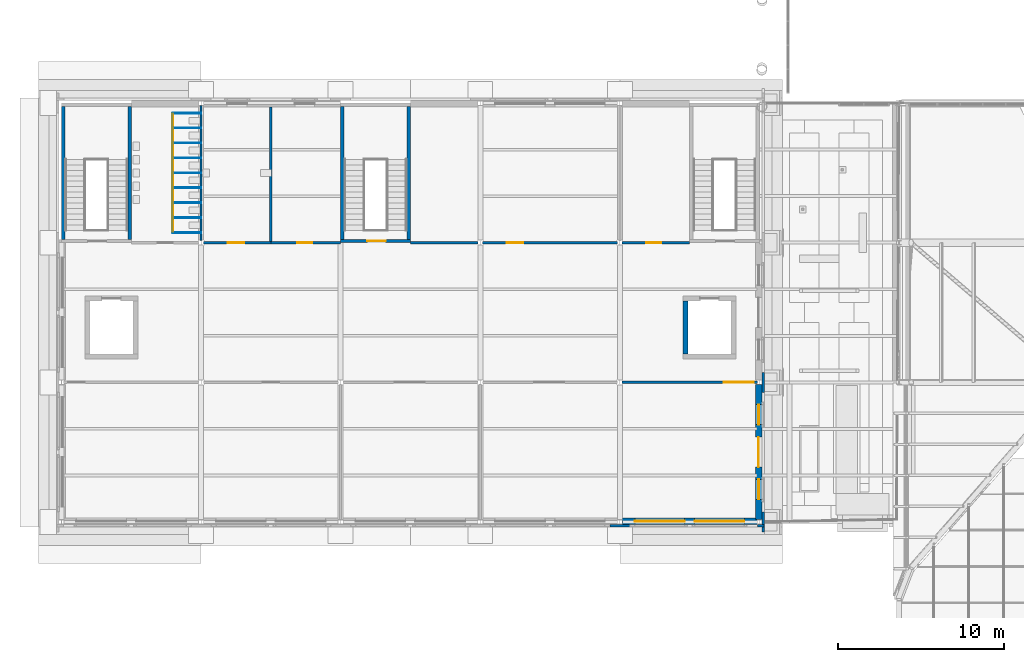
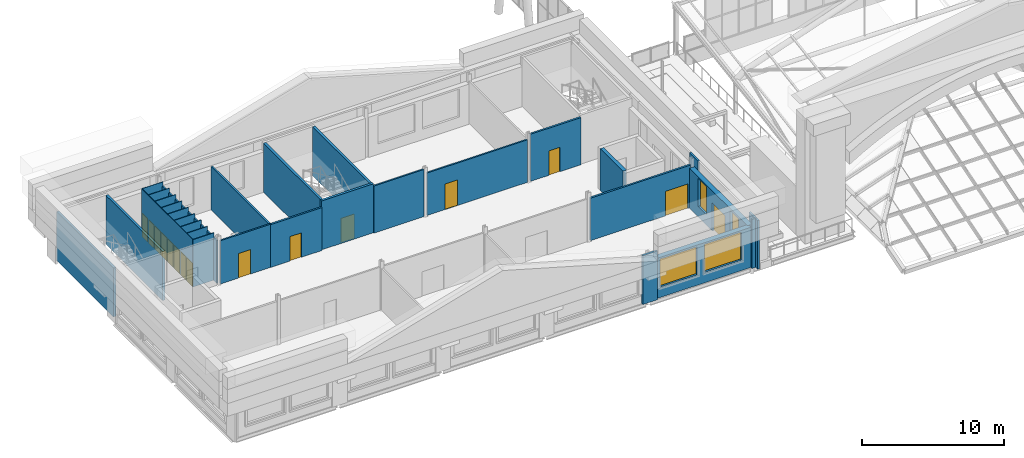
# One storey, part 41 of 76: 30 walls, 15 doors, 4 windows, 19 openings.
"""IFC4 building model written with IfcOpenShell, lengths in metres."""

from ifc_helpers import new_model, si_unit, direction, frame, frame_2d, origin, place, context, subcontext, project, spatial, rectangle, extrude, material, layer, layer_set, type_object, element, fill, save


model = new_model("IFC4")

# Units and contexts
model_context = context("Model", 3, precision=1e-05, world=origin(), true_north=direction((0.0, 1.0)))
body_context = subcontext(model_context, "Body", "Model", "MODEL_VIEW")
ifc_project = project(units=[si_unit("LENGTHUNIT", "METRE"), si_unit("AREAUNIT", "SQUARE_METRE"), si_unit("VOLUMEUNIT", "CUBIC_METRE"), si_unit("PLANEANGLEUNIT", "RADIAN"), si_unit("MASSUNIT", "GRAM", prefix="KILO")], contexts=[model_context])

# Site, building, storey
site_placement = place(None, origin())
site = spatial("IfcSite", under=ifc_project, at=site_placement, CompositionType="ELEMENT")
building_placement = place(site_placement, origin())
building = spatial("IfcBuilding", under=site, at=building_placement, Name="Sava Quay Ferry Terminal", CompositionType="ELEMENT")
storey_placement = place(building_placement, frame((0.0, 0.0, 10.800048828125)))
storey = spatial("IfcBuildingStorey", under=building, at=storey_placement, Name="L02", CompositionType="ELEMENT", Elevation=10.800048828125)

# Wall, openings, doors
ifc_material_1 = material(Name="High-pressure laminate panel")
ifc_layer_1 = layer(ifc_material_1, 0.050048828125)
ifc_layer_set_1 = layer_set([ifc_layer_1], Name="High-pressure laminate panel")
wall_type_1 = type_object("IfcWallType", Name="Cubicle partition 50", PredefinedType="PARTITIONING", material=ifc_layer_set_1)
wall_1_placement = place(storey_placement, frame((6.699951171875, 42.60009765625, 0.0), z_axis=(0.0, 0.0, 1.0), x_axis=(0.0, 1.0, 0.0)))
wall_1 = element("IfcWall", 1, at=wall_1_placement, inside=storey, type_object=wall_type_1, Name="Cubicle partition panel", PredefinedType="PARTITIONING", context=body_context, shape_type="SweptSolid", body=[
    extrude(rectangle(XDim=7.199951171875, YDim=0.050048828125, at=frame_2d((3.60009765625, 0.0))), origin(), (0.0, 0.0, 1.0), 4.070068359375),
])
opening_1_placement = place(wall_1_placement, frame((0.050048828125, 0.0, 0.0)))
opening_1 = element("IfcOpeningElement", 2, at=opening_1_placement, cuts=wall_1, Name="Opening CD065", PredefinedType="OPENING", context=body_context, shape_type="SweptSolid", body=[
    extrude(rectangle(XDim=0.800048828125, YDim=2.0, at=frame_2d((0.39990234375, 1.0))), frame((0.0, 0.02490234375, 0.0), z_axis=(0.0, -1.0, 0.0), x_axis=(1.0, 0.0, 0.0)), (0.0, 0.0, 1.0), 0.050048828125),
])
opening_2_placement = place(wall_1_placement, frame((0.949951171875, 0.0, 0.0)))
opening_2 = element("IfcOpeningElement", 3, at=opening_2_placement, cuts=wall_1, Name="Opening CD066", PredefinedType="OPENING", context=body_context, shape_type="SweptSolid", body=[
    extrude(rectangle(XDim=0.800048828125, YDim=2.0, at=frame_2d((0.39990234375, 1.0))), frame((0.0, 0.02490234375, 0.0), z_axis=(0.0, -1.0, 0.0), x_axis=(1.0, 0.0, 0.0)), (0.0, 0.0, 1.0), 0.050048828125),
])
opening_3_placement = place(wall_1_placement, frame((1.85009765625, 0.0, 0.0)))
opening_3 = element("IfcOpeningElement", 4, at=opening_3_placement, cuts=wall_1, Name="Opening CD067", PredefinedType="OPENING", context=body_context, shape_type="SweptSolid", body=[
    extrude(rectangle(XDim=0.800048828125, YDim=2.0, at=frame_2d((0.39990234375, 1.0))), frame((0.0, 0.02490234375, 0.0), z_axis=(0.0, -1.0, 0.0), x_axis=(1.0, 0.0, 0.0)), (0.0, 0.0, 1.0), 0.050048828125),
])
opening_4_placement = place(wall_1_placement, frame((2.75, 0.0, 0.0)))
opening_4 = element("IfcOpeningElement", 5, at=opening_4_placement, cuts=wall_1, Name="Opening CD068", PredefinedType="OPENING", context=body_context, shape_type="SweptSolid", body=[
    extrude(rectangle(XDim=0.800048828125, YDim=2.0, at=frame_2d((0.39990234375, 1.0))), frame((0.0, 0.02490234375, 0.0), z_axis=(0.0, -1.0, 0.0), x_axis=(1.0, 0.0, 0.0)), (0.0, 0.0, 1.0), 0.050048828125),
])
opening_5_placement = place(wall_1_placement, frame((3.64990234375, 0.0, 0.0)))
opening_5 = element("IfcOpeningElement", 6, at=opening_5_placement, cuts=wall_1, Name="Opening CD069", PredefinedType="OPENING", context=body_context, shape_type="SweptSolid", body=[
    extrude(rectangle(XDim=0.800048828125, YDim=2.0, at=frame_2d((0.39990234375, 1.0))), frame((0.0, 0.02490234375, 0.0), z_axis=(0.0, -1.0, 0.0), x_axis=(1.0, 0.0, 0.0)), (0.0, 0.0, 1.0), 0.050048828125),
])
opening_6_placement = place(wall_1_placement, frame((4.550048828125, 0.0, 0.0)))
opening_6 = element("IfcOpeningElement", 7, at=opening_6_placement, cuts=wall_1, Name="Opening CD070", PredefinedType="OPENING", context=body_context, shape_type="SweptSolid", body=[
    extrude(rectangle(XDim=0.800048828125, YDim=2.0, at=frame_2d((0.39990234375, 1.0))), frame((0.0, 0.02490234375, 0.0), z_axis=(0.0, -1.0, 0.0), x_axis=(1.0, 0.0, 0.0)), (0.0, 0.0, 1.0), 0.050048828125),
])
opening_7_placement = place(wall_1_placement, frame((5.449951171875, 0.0, 0.0)))
opening_7 = element("IfcOpeningElement", 8, at=opening_7_placement, cuts=wall_1, Name="Opening CD071", PredefinedType="OPENING", context=body_context, shape_type="SweptSolid", body=[
    extrude(rectangle(XDim=0.800048828125, YDim=2.0, at=frame_2d((0.39990234375, 1.0))), frame((0.0, 0.02490234375, 0.0), z_axis=(0.0, -1.0, 0.0), x_axis=(1.0, 0.0, 0.0)), (0.0, 0.0, 1.0), 0.050048828125),
])
opening_8_placement = place(wall_1_placement, frame((6.35009765625, 0.0, 0.0)))
opening_8 = element("IfcOpeningElement", 9, at=opening_8_placement, cuts=wall_1, Name="Opening CD072", PredefinedType="OPENING", context=body_context, shape_type="SweptSolid", body=[
    extrude(rectangle(XDim=0.800048828125, YDim=2.0, at=frame_2d((0.39990234375, 1.0))), frame((0.0, 0.02490234375, 0.0), z_axis=(0.0, -1.0, 0.0), x_axis=(1.0, 0.0, 0.0)), (0.0, 0.0, 1.0), 0.050048828125),
])
ifc_material_2 = material(Name="Laminate door set")
door_type_1 = type_object("IfcDoorType", Name="Cubicle door 800 x 2000", OperationType="NOTDEFINED", PredefinedType="DOOR", material=ifc_material_2)
door_1_placement = place(opening_1_placement, origin())
door_1 = element("IfcDoor", 10, at=door_1_placement, inside=storey, type_object=door_type_1, Name="Cubicle door", OperationType="SINGLE_SWING_RIGHT", OverallHeight=2.0, OverallWidth=0.800048828125, PredefinedType="DOOR", context=body_context, shape_type="SweptSolid", body=[
    extrude(rectangle(XDim=0.800048828125, YDim=2.0, at=frame_2d((0.39990234375, 1.0))), frame((0.0, 0.02490234375, 0.0), z_axis=(0.0, -1.0, 0.0), x_axis=(1.0, 0.0, 0.0)), (0.0, 0.0, 1.0), 0.049560546875),
])
fill(opening_1, door_1)
door_2_placement = place(opening_2_placement, origin())
door_2 = element("IfcDoor", 11, at=door_2_placement, inside=storey, type_object=door_type_1, Name="Cubicle door", OperationType="SINGLE_SWING_LEFT", OverallHeight=2.0, OverallWidth=0.800048828125, PredefinedType="DOOR", context=body_context, shape_type="SweptSolid", body=[
    extrude(rectangle(XDim=0.800048828125, YDim=2.0, at=frame_2d((0.39990234375, 1.0))), frame((0.0, 0.02490234375, 0.0), z_axis=(0.0, -1.0, 0.0), x_axis=(1.0, 0.0, 0.0)), (0.0, 0.0, 1.0), 0.049560546875),
])
fill(opening_2, door_2)
door_3_placement = place(opening_3_placement, origin())
door_3 = element("IfcDoor", 12, at=door_3_placement, inside=storey, type_object=door_type_1, Name="Cubicle door", OperationType="SINGLE_SWING_RIGHT", OverallHeight=2.0, OverallWidth=0.800048828125, PredefinedType="DOOR", context=body_context, shape_type="SweptSolid", body=[
    extrude(rectangle(XDim=0.800048828125, YDim=2.0, at=frame_2d((0.39990234375, 1.0))), frame((0.0, 0.02490234375, 0.0), z_axis=(0.0, -1.0, 0.0), x_axis=(1.0, 0.0, 0.0)), (0.0, 0.0, 1.0), 0.049560546875),
])
fill(opening_3, door_3)
door_4_placement = place(opening_4_placement, origin())
door_4 = element("IfcDoor", 13, at=door_4_placement, inside=storey, type_object=door_type_1, Name="Cubicle door", OperationType="SINGLE_SWING_LEFT", OverallHeight=2.0, OverallWidth=0.800048828125, PredefinedType="DOOR", context=body_context, shape_type="SweptSolid", body=[
    extrude(rectangle(XDim=0.800048828125, YDim=2.0, at=frame_2d((0.39990234375, 1.0))), frame((0.0, 0.02490234375, 0.0), z_axis=(0.0, -1.0, 0.0), x_axis=(1.0, 0.0, 0.0)), (0.0, 0.0, 1.0), 0.049560546875),
])
fill(opening_4, door_4)
door_5_placement = place(opening_5_placement, origin())
door_5 = element("IfcDoor", 14, at=door_5_placement, inside=storey, type_object=door_type_1, Name="Cubicle door", OperationType="SINGLE_SWING_RIGHT", OverallHeight=2.0, OverallWidth=0.800048828125, PredefinedType="DOOR", context=body_context, shape_type="SweptSolid", body=[
    extrude(rectangle(XDim=0.800048828125, YDim=2.0, at=frame_2d((0.39990234375, 1.0))), frame((0.0, 0.02490234375, 0.0), z_axis=(0.0, -1.0, 0.0), x_axis=(1.0, 0.0, 0.0)), (0.0, 0.0, 1.0), 0.049560546875),
])
fill(opening_5, door_5)
door_6_placement = place(opening_6_placement, origin())
door_6 = element("IfcDoor", 15, at=door_6_placement, inside=storey, type_object=door_type_1, Name="Cubicle door", OperationType="SINGLE_SWING_LEFT", OverallHeight=2.0, OverallWidth=0.800048828125, PredefinedType="DOOR", context=body_context, shape_type="SweptSolid", body=[
    extrude(rectangle(XDim=0.800048828125, YDim=2.0, at=frame_2d((0.39990234375, 1.0))), frame((0.0, 0.02490234375, 0.0), z_axis=(0.0, -1.0, 0.0), x_axis=(1.0, 0.0, 0.0)), (0.0, 0.0, 1.0), 0.049560546875),
])
fill(opening_6, door_6)
door_7_placement = place(opening_7_placement, origin())
door_7 = element("IfcDoor", 16, at=door_7_placement, inside=storey, type_object=door_type_1, Name="Cubicle door", OperationType="SINGLE_SWING_RIGHT", OverallHeight=2.0, OverallWidth=0.800048828125, PredefinedType="DOOR", context=body_context, shape_type="SweptSolid", body=[
    extrude(rectangle(XDim=0.800048828125, YDim=2.0, at=frame_2d((0.39990234375, 1.0))), frame((0.0, 0.02490234375, 0.0), z_axis=(0.0, -1.0, 0.0), x_axis=(1.0, 0.0, 0.0)), (0.0, 0.0, 1.0), 0.049560546875),
])
fill(opening_7, door_7)
door_8_placement = place(opening_8_placement, origin())
door_8 = element("IfcDoor", 17, at=door_8_placement, inside=storey, type_object=door_type_1, Name="Cubicle door", OperationType="SINGLE_SWING_LEFT", OverallHeight=2.0, OverallWidth=0.800048828125, PredefinedType="DOOR", context=body_context, shape_type="SweptSolid", body=[
    extrude(rectangle(XDim=0.800048828125, YDim=2.0, at=frame_2d((0.39990234375, 1.0))), frame((0.0, 0.02490234375, 0.0), z_axis=(0.0, -1.0, 0.0), x_axis=(1.0, 0.0, 0.0)), (0.0, 0.0, 1.0), 0.049560546875),
])
fill(opening_8, door_8)

# Walls
for number, where, z_axis, x_axis, name in (
    (18, (8.39990234375, 42.60009765625, 0.0), (0.0, 0.0, 1.0), (-1.0, 0.0, 0.0), "Cubicle partition panel"),
    (19, (8.39990234375, 43.5, 0.0), (0.0, 0.0, 1.0), (-1.0, 0.0, 0.0), "Cubicle partition panel"),
    (20, (8.39990234375, 44.39990234375, 0.0), (0.0, 0.0, 1.0), (-1.0, 0.0, 0.0), "Cubicle partition panel"),
    (21, (8.39990234375, 45.300048828125, 0.0), (0.0, 0.0, 1.0), (-1.0, 0.0, 0.0), "Cubicle partition panel"),
    (22, (8.39990234375, 46.199951171875, 0.0), (0.0, 0.0, 1.0), (-1.0, 0.0, 0.0), "Cubicle partition panel"),
    (23, (8.39990234375, 47.10009765625, 0.0), (0.0, 0.0, 1.0), (-1.0, 0.0, 0.0), "Cubicle partition panel"),
    (24, (8.39990234375, 48.0, 0.0), (0.0, 0.0, 1.0), (-1.0, 0.0, 0.0), "Cubicle partition panel"),
    (25, (8.39990234375, 48.89990234375, 0.0), (0.0, 0.0, 1.0), (-1.0, 0.0, 0.0), "Cubicle partition panel"),
    (26, (8.39990234375, 49.800048828125, 0.0), (0.0, 0.0, 1.0), (-1.0, 0.0, 0.0), "Cubicle partition panel"),
):
    element("IfcWall", number, at=place(storey_placement, frame(where, z_axis=z_axis, x_axis=x_axis)), inside=storey, type_object=wall_type_1, Name=name, PredefinedType="PARTITIONING", context=body_context, shape_type="SweptSolid", body=[
        extrude(rectangle(XDim=1.699951171875, YDim=0.050048828125, at=frame_2d((0.85009765625, 0.0))), origin(), (0.0, 0.0, 1.0), 4.070068359375),
    ])
ifc_material_3 = material(Name="Limestone Mutalj", Category="masonry")
ifc_layer_2 = layer(ifc_material_3, 0.14990234375)
ifc_layer_set_2 = layer_set([ifc_layer_2], Name="Limestone Mutalj")
wall_type_2 = type_object("IfcWallType", Name="Pier cladding 150", PredefinedType="SOLIDWALL", material=ifc_layer_set_2)
for number, where, z_axis, x_axis, name in (
    (27, (42.22509765625, 24.60009765625, 0.0), (0.0, 0.0, 1.0), (0.0, 1.0, 0.0), "Pier W-E grid 25.2"),
    (28, (42.22509765625, 33.0, 0.0), (0.0, 0.0, 1.0), (0.0, 1.0, 0.0), "Pier W-E grid 33.6"),
    (29, (33.0, 24.965087890625, 0.0), (0.0, 0.0, 1.0), (1.0, 0.0, 0.0), "Pier W-S grid 33.6"),
):
    element("IfcWall", number, at=place(storey_placement, frame(where, z_axis=z_axis, x_axis=x_axis)), inside=storey, type_object=wall_type_2, Name=name, PredefinedType="SOLIDWALL", context=body_context, shape_type="SweptSolid", body=[
        extrude(rectangle(XDim=1.199951171875, YDim=0.14990234375, at=frame_2d((0.60009765625, 0.0))), origin(), (0.0, 0.0, 1.0), 4.199951171875),
    ])
wall_2_placement = place(storey_placement, frame((41.8701171875, 24.965087890625, 0.0), z_axis=(0.0, 0.0, 1.0), x_axis=(1.0, 0.0, 0.0)))
element("IfcWall", 30, at=wall_2_placement, inside=storey, type_object=wall_type_2, Name="Pier W-S grid 42", PredefinedType="SOLIDWALL", context=body_context, shape_type="SweptSolid", body=[
    extrude(rectangle(XDim=0.409912109375, YDim=0.14990234375, at=frame_2d((0.205078125, 0.0))), origin(), (0.0, 0.0, 1.0), 4.199951171875),
])

# Wall, opening, door
ifc_material_4 = material(Name="Masonry blockwork", Category="masonry")
ifc_layer_3 = layer(ifc_material_4, 0.14990234375)
ifc_layer_set_3 = layer_set([ifc_layer_3], Name="Masonry blockwork")
wall_type_3 = type_object("IfcWallType", Name="Plant, store and lobby wall, blockwork 150", PredefinedType="PARTITIONING", material=ifc_layer_set_3)
wall_3_placement = place(storey_placement, frame((33.72998046875, 33.60009765625, 0.0), z_axis=(0.0, 0.0, 1.0), x_axis=(1.0, 0.0, 0.0)))
wall_3 = element("IfcWall", 31, at=wall_3_placement, inside=storey, type_object=wall_type_3, Name="Plant, store and lobby wall, blockwork 150", PredefinedType="PARTITIONING", context=body_context, shape_type="SweptSolid", body=[
    extrude(rectangle(XDim=8.14013671875, YDim=0.14990234375, at=frame_2d((4.070068359375, 0.0))), origin(), (0.0, 0.0, 1.0), 3.64990234375),
])
opening_9_placement = place(wall_3_placement, frame((6.1201171875, 0.0, 0.0)))
opening_9 = element("IfcOpeningElement", 32, at=opening_9_placement, cuts=wall_3, Name="Opening D0205", PredefinedType="OPENING", context=body_context, shape_type="SweptSolid", body=[
    extrude(rectangle(XDim=1.800048828125, YDim=2.10009765625, at=frame_2d((0.89990234375, 1.050048828125))), frame((0.0, 0.074951171875, 0.0), z_axis=(0.0, -1.0, 0.0), x_axis=(1.0, 0.0, 0.0)), (0.0, 0.0, 1.0), 0.14990234375),
])
ifc_material_5 = material(Name="Timber door set", Category="wood")
door_type_2 = type_object("IfcDoorType", Name="Double door 1800 x 2100", OperationType="NOTDEFINED", PredefinedType="DOOR", material=ifc_material_5)
door_9_placement = place(opening_9_placement, origin())
door_9 = element("IfcDoor", 33, at=door_9_placement, inside=storey, type_object=door_type_2, Name="Door D0205", OperationType="DOUBLE_DOOR_DOUBLE_SWING", OverallHeight=2.10009765625, OverallWidth=1.800048828125, PredefinedType="DOOR", context=body_context, shape_type="SweptSolid", body=[
    extrude(rectangle(XDim=1.800048828125, YDim=2.10009765625, at=frame_2d((0.89990234375, 1.050048828125))), frame((0.0, 0.02490234375, 0.0), z_axis=(0.0, -1.0, 0.0), x_axis=(1.0, 0.0, 0.0)), (0.0, 0.0, 1.0), 0.050048828125),
])
fill(opening_9, door_9)

wall_4_placement = place(storey_placement, frame((12.60009765625, 42.0, 0.0), z_axis=(0.0, 0.0, 1.0), x_axis=(1.0, 0.0, 0.0)))
wall_4 = element("IfcWall", 34, at=wall_4_placement, inside=storey, type_object=wall_type_3, Name="Plant, store and lobby wall, blockwork 150", PredefinedType="PARTITIONING", context=body_context, shape_type="SweptSolid", body=[
    extrude(rectangle(XDim=4.199951171875, YDim=0.14990234375, at=frame_2d((2.10009765625, 0.0))), origin(), (0.0, 0.0, 1.0), 3.679931640625),
])
opening_10_placement = place(wall_4_placement, frame((1.60009765625, 0.0, 0.0)))
opening_10 = element("IfcOpeningElement", 35, at=opening_10_placement, cuts=wall_4, Name="Opening D0208", PredefinedType="OPENING", context=body_context, shape_type="SweptSolid", body=[
    extrude(rectangle(XDim=0.89990234375, YDim=2.10009765625, at=frame_2d((0.449951171875, 1.050048828125))), frame((0.0, 0.074951171875, 0.0), z_axis=(0.0, -1.0, 0.0), x_axis=(1.0, 0.0, 0.0)), (0.0, 0.0, 1.0), 0.14990234375),
])
ifc_material_6 = material(Name="Timber door set", Category="wood")
door_type_3 = type_object("IfcDoorType", Name="Single door 900 x 2100", OperationType="NOTDEFINED", PredefinedType="DOOR", material=ifc_material_6)
door_10_placement = place(opening_10_placement, origin())
door_10 = element("IfcDoor", 36, at=door_10_placement, inside=storey, type_object=door_type_3, Name="Door D0208", OperationType="SINGLE_SWING_LEFT", OverallHeight=2.10009765625, OverallWidth=0.89990234375, PredefinedType="DOOR", context=body_context, shape_type="SweptSolid", body=[
    extrude(rectangle(XDim=0.89990234375, YDim=2.10009765625, at=frame_2d((0.449951171875, 1.050048828125))), frame((0.0, 0.02490234375, 0.0), z_axis=(0.0, -1.0, 0.0), x_axis=(1.0, 0.0, 0.0)), (0.0, 0.0, 1.0), 0.050048828125),
])
fill(opening_10, door_10)

wall_5_placement = place(storey_placement, frame((33.72998046875, 42.0, 0.0), z_axis=(0.0, 0.0, 1.0), x_axis=(1.0, 0.0, 0.0)))
wall_5 = element("IfcWall", 37, at=wall_5_placement, inside=storey, type_object=wall_type_3, Name="Plant, store and lobby wall, blockwork 150", PredefinedType="PARTITIONING", context=body_context, shape_type="SweptSolid", body=[
    extrude(rectangle(XDim=4.070068359375, YDim=0.14990234375, at=frame_2d((2.03515625, 0.0))), origin(), (0.0, 0.0, 1.0), 4.050048828125),
])
opening_11_placement = place(wall_5_placement, frame((1.469970703125, 0.0, 0.0)))
opening_11 = element("IfcOpeningElement", 38, at=opening_11_placement, cuts=wall_5, Name="Opening D0210", PredefinedType="OPENING", context=body_context, shape_type="SweptSolid", body=[
    extrude(rectangle(XDim=0.89990234375, YDim=2.10009765625, at=frame_2d((0.449951171875, 1.050048828125))), frame((0.0, 0.074951171875, 0.0), z_axis=(0.0, -1.0, 0.0), x_axis=(1.0, 0.0, 0.0)), (0.0, 0.0, 1.0), 0.14990234375),
])
door_11_placement = place(opening_11_placement, origin())
door_11 = element("IfcDoor", 39, at=door_11_placement, inside=storey, type_object=door_type_3, Name="Door D0210", OperationType="SINGLE_SWING_LEFT", OverallHeight=2.10009765625, OverallWidth=0.89990234375, PredefinedType="DOOR", context=body_context, shape_type="SweptSolid", body=[
    extrude(rectangle(XDim=0.89990234375, YDim=2.10009765625, at=frame_2d((0.449951171875, 1.050048828125))), frame((0.0, 0.02490234375, 0.0), z_axis=(0.0, -1.0, 0.0), x_axis=(1.0, 0.0, 0.0)), (0.0, 0.0, 1.0), 0.050048828125),
])
fill(opening_11, door_11)

# Walls
wall_6_placement = place(storey_placement, frame((12.60009765625, 42.0, 0.0), z_axis=(0.0, 0.0, 1.0), x_axis=(0.0, 1.0, 0.0)))
element("IfcWall", 40, at=wall_6_placement, inside=storey, type_object=wall_type_3, Name="Plant, store and lobby wall, blockwork 150", PredefinedType="PARTITIONING", context=body_context, shape_type="SweptSolid", body=[
    extrude(rectangle(XDim=8.159423828125, YDim=0.14990234375, at=frame_2d((4.07958984375, 0.0))), origin(), (0.0, 0.0, 1.0), 3.7099609375),
])
ifc_material_7 = material(Name="Concrete C35/45", Category="concrete")
ifc_layer_4 = layer(ifc_material_7, 0.199951171875)
ifc_layer_set_4 = layer_set([ifc_layer_4], Name="Concrete C35/45")
wall_type_4 = type_object("IfcWallType", Name="RC core wall 200", PredefinedType="SHEAR", material=ifc_layer_set_4)
for number, where, z_axis, x_axis, name in (
    (41, (0.10009765625, 42.199951171875, 0.0), (0.0, 0.0, 1.0), (0.0, 1.0, 0.0), "Core wall ST-W1 W L02"),
    (42, (4.10009765625, 42.199951171875, 0.0), (0.0, 0.0, 1.0), (0.0, 1.0, 0.0), "Core wall ST-W1 E L02"),
):
    element("IfcWall", number, at=place(storey_placement, frame(where, z_axis=z_axis, x_axis=x_axis)), inside=storey, type_object=wall_type_4, Name=name, PredefinedType="SHEAR", context=body_context, shape_type="SweptSolid", body=[
        extrude(rectangle(XDim=8.0, YDim=0.199951171875, at=frame_2d((4.0, 0.0))), origin(), (0.0, 0.0, 1.0), 4.199951171875),
    ])

# Wall, opening, door
wall_7_placement = place(storey_placement, frame((16.800048828125, 42.10009765625, 0.0), z_axis=(0.0, 0.0, 1.0), x_axis=(1.0, 0.0, 0.0)))
wall_7 = element("IfcWall", 43, at=wall_7_placement, inside=storey, type_object=wall_type_4, Name="Core wall ST-W3 S L02", PredefinedType="SHEAR", context=body_context, shape_type="SweptSolid", body=[
    extrude(rectangle(XDim=4.199951171875, YDim=0.199951171875, at=frame_2d((2.10009765625, 0.0))), origin(), (0.0, 0.0, 1.0), 4.199951171875),
])
opening_12_placement = place(wall_7_placement, frame((1.60009765625, 0.0, 0.0)))
opening_12 = element("IfcOpeningElement", 44, at=opening_12_placement, cuts=wall_7, Name="Opening DS0202", PredefinedType="OPENING", context=body_context, shape_type="SweptSolid", body=[
    extrude(rectangle(XDim=1.10009765625, YDim=2.10009765625, at=frame_2d((0.550048828125, 1.050048828125))), frame((0.0, 0.10009765625, 0.0), z_axis=(0.0, -1.0, 0.0), x_axis=(1.0, 0.0, 0.0)), (0.0, 0.0, 1.0), 0.199951171875),
])
ifc_material_8 = material(Name="Steel fire door set", Category="steel")
door_type_4 = type_object("IfcDoorType", Name="Stair fire door 1100 x 2100", OperationType="NOTDEFINED", PredefinedType="DOOR", material=ifc_material_8)
door_12_placement = place(opening_12_placement, origin())
door_12 = element("IfcDoor", 45, at=door_12_placement, inside=storey, type_object=door_type_4, Name="Door DS0202", OperationType="SINGLE_SWING_RIGHT", OverallHeight=2.10009765625, OverallWidth=1.10009765625, PredefinedType="DOOR", context=body_context, shape_type="SweptSolid", body=[
    extrude(rectangle(XDim=1.10009765625, YDim=2.10009765625, at=frame_2d((0.550048828125, 1.050048828125))), frame((0.0, 0.02490234375, 0.0), z_axis=(0.0, -1.0, 0.0), x_axis=(1.0, 0.0, 0.0)), (0.0, 0.0, 1.0), 0.050048828125),
])
fill(opening_12, door_12)

# Walls
for number, where, z_axis, x_axis, name in (
    (46, (16.89990234375, 42.199951171875, 0.0), (0.0, 0.0, 1.0), (0.0, 1.0, 0.0), "Core wall ST-W3 W L02"),
    (47, (20.89990234375, 42.199951171875, 0.0), (0.0, 0.0, 1.0), (0.0, 1.0, 0.0), "Core wall ST-W3 E L02"),
):
    element("IfcWall", number, at=place(storey_placement, frame(where, z_axis=z_axis, x_axis=x_axis)), inside=storey, type_object=wall_type_4, Name=name, PredefinedType="SHEAR", context=body_context, shape_type="SweptSolid", body=[
        extrude(rectangle(XDim=8.0, YDim=0.199951171875, at=frame_2d((4.0, 0.0))), origin(), (0.0, 0.0, 1.0), 4.199951171875),
    ])
ifc_material_9 = material(Name="Concrete C35/45", Category="concrete")
ifc_layer_5 = layer(ifc_material_9, 0.300048828125)
ifc_layer_set_5 = layer_set([ifc_layer_5], Name="Concrete C35/45")
wall_type_5 = type_object("IfcWallType", Name="RC core wall 300", PredefinedType="SHEAR", material=ifc_layer_set_5)
wall_8_placement = place(storey_placement, frame((37.550048828125, 35.300048828125, 0.0), z_axis=(0.0, 0.0, 1.0), x_axis=(0.0, 1.0, 0.0)))
element("IfcWall", 48, at=wall_8_placement, inside=storey, type_object=wall_type_5, Name="Core wall LF-W2 W L02", PredefinedType="SHEAR", context=body_context, shape_type="SweptSolid", body=[
    extrude(rectangle(XDim=3.199951171875, YDim=0.300048828125, at=frame_2d((1.60009765625, 0.0))), origin(), (0.0, 0.0, 1.0), 3.599853515625),
])
ifc_material_10 = material(Name="Plasterboard on steel studs", Category="steel")
ifc_layer_6 = layer(ifc_material_10, 0.125)
ifc_layer_set_6 = layer_set([ifc_layer_6], Name="Plasterboard on steel studs")
wall_type_6 = type_object("IfcWallType", Name="Room partition, plasterboard on steel studs 125", PredefinedType="PARTITIONING", material=ifc_layer_set_6)
wall_9_placement = place(storey_placement, frame((21.0, 42.0, 0.0), z_axis=(0.0, 0.0, 1.0), x_axis=(1.0, 0.0, 0.0)))
element("IfcWall", 49, at=wall_9_placement, inside=storey, type_object=wall_type_6, Name="Room partition, plasterboard on steel studs 125", PredefinedType="PARTITIONING", context=body_context, shape_type="SweptSolid", body=[
    extrude(rectangle(XDim=4.070068359375, YDim=0.125, at=frame_2d((2.03515625, 0.0))), origin(), (0.0, 0.0, 1.0), 4.050048828125),
])

# Wall, opening, door
wall_10_placement = place(storey_placement, frame((25.330078125, 42.0, 0.0), z_axis=(0.0, 0.0, 1.0), x_axis=(1.0, 0.0, 0.0)))
wall_10 = element("IfcWall", 50, at=wall_10_placement, inside=storey, type_object=wall_type_6, Name="Room partition, plasterboard on steel studs 125", PredefinedType="PARTITIONING", context=body_context, shape_type="SweptSolid", body=[
    extrude(rectangle(XDim=8.139892578125, YDim=0.125, at=frame_2d((4.06982421875, 0.0))), origin(), (0.0, 0.0, 1.0), 3.64990234375),
])
opening_13_placement = place(wall_10_placement, frame((1.469970703125, 0.0, 0.0)))
opening_13 = element("IfcOpeningElement", 51, at=opening_13_placement, cuts=wall_10, Name="Opening D0209", PredefinedType="OPENING", context=body_context, shape_type="SweptSolid", body=[
    extrude(rectangle(XDim=1.0, YDim=2.199951171875, at=frame_2d((0.5, 1.10009765625))), frame((0.0, 0.0625, 0.0), z_axis=(0.0, -1.0, 0.0), x_axis=(1.0, 0.0, 0.0)), (0.0, 0.0, 1.0), 0.125),
])
ifc_material_11 = material(Name="Timber door set", Category="wood")
door_type_5 = type_object("IfcDoorType", Name="Single door 1000 x 2200", OperationType="NOTDEFINED", PredefinedType="DOOR", material=ifc_material_11)
door_13_placement = place(opening_13_placement, origin())
door_13 = element("IfcDoor", 52, at=door_13_placement, inside=storey, type_object=door_type_5, Name="Door D0209", OperationType="SINGLE_SWING_LEFT", OverallHeight=2.199951171875, OverallWidth=1.0, PredefinedType="DOOR", context=body_context, shape_type="SweptSolid", body=[
    extrude(rectangle(XDim=1.0, YDim=2.199951171875, at=frame_2d((0.5, 1.10009765625))), frame((0.0, 0.02490234375, 0.0), z_axis=(0.0, -1.0, 0.0), x_axis=(1.0, 0.0, 0.0)), (0.0, 0.0, 1.0), 0.050048828125),
])
fill(opening_13, door_13)

# Wall, openings, door, windows
ifc_material_12 = material(Name="Sandstone Bela Voda", Category="masonry")
ifc_layer_7 = layer(ifc_material_12, 0.39990234375)
ifc_layer_set_7 = layer_set([ifc_layer_7], Name="Sandstone Bela Voda")
wall_type_7 = type_object("IfcWallType", Name="Sandstone ashlar infill 400", PredefinedType="SOLIDWALL", material=ifc_layer_set_7)
wall_11_placement = place(storey_placement, frame((41.949951171875, 25.330078125, 0.0), z_axis=(0.0, 0.0, 1.0), x_axis=(0.0, 1.0, 0.0)))
wall_11 = element("IfcWall", 53, at=wall_11_placement, inside=storey, type_object=wall_type_7, Name="External wall W-E", PredefinedType="SOLIDWALL", context=body_context, shape_type="SweptSolid", body=[
    extrude(rectangle(XDim=8.139892578125, YDim=0.39990234375, at=frame_2d((4.06982421875, 0.0))), origin(), (0.0, 0.0, 1.0), 3.449951171875),
])
opening_14_placement = place(wall_11_placement, frame((3.169921875, 0.0, 0.0)))
opening_14 = element("IfcOpeningElement", 54, at=opening_14_placement, cuts=wall_11, Name="Opening DTA4", PredefinedType="OPENING", context=body_context, shape_type="SweptSolid", body=[
    extrude(rectangle(XDim=1.800048828125, YDim=2.39990234375, at=frame_2d((0.89990234375, 1.199951171875))), frame((0.0, 0.199951171875, 0.0), z_axis=(0.0, -1.0, 0.0), x_axis=(1.0, 0.0, 0.0)), (0.0, 0.0, 1.0), 0.39990234375),
])
opening_15_placement = place(wall_11_placement, frame((1.219970703125, 0.0, 0.89990234375)))
opening_15 = element("IfcOpeningElement", 55, at=opening_15_placement, cuts=wall_11, Name="Opening W-E2", PredefinedType="OPENING", context=body_context, shape_type="SweptSolid", body=[
    extrude(rectangle(XDim=1.199951171875, YDim=2.39990234375, at=frame_2d((0.60009765625, 1.199951171875))), frame((0.0, 0.199951171875, 0.0), z_axis=(0.0, -1.0, 0.0), x_axis=(1.0, 0.0, 0.0)), (0.0, 0.0, 1.0), 0.39990234375),
])
opening_16_placement = place(wall_11_placement, frame((5.719970703125, 0.0, 0.89990234375)))
opening_16 = element("IfcOpeningElement", 56, at=opening_16_placement, cuts=wall_11, Name="Opening W-E2", PredefinedType="OPENING", context=body_context, shape_type="SweptSolid", body=[
    extrude(rectangle(XDim=1.199951171875, YDim=2.39990234375, at=frame_2d((0.60009765625, 1.199951171875))), frame((0.0, 0.199951171875, 0.0), z_axis=(0.0, -1.0, 0.0), x_axis=(1.0, 0.0, 0.0)), (0.0, 0.0, 1.0), 0.39990234375),
])
ifc_material_13 = material(Name="Aluminium bronze anodised, glazing safety laminated", Category="aluminium")
door_type_6 = type_object("IfcDoorType", Name="Exit double door 1800x2400", OperationType="DOUBLE_DOOR_SINGLE_SWING", PredefinedType="DOOR", material=ifc_material_13)
door_14_placement = place(opening_14_placement, origin())
door_14 = element("IfcDoor", 57, at=door_14_placement, inside=storey, type_object=door_type_6, Name="Door DTA4", OperationType="DOUBLE_DOOR_SINGLE_SWING", OverallHeight=2.39990234375, OverallWidth=1.800048828125, PredefinedType="DOOR", context=body_context, shape_type="SweptSolid", body=[
    extrude(rectangle(XDim=1.800048828125, YDim=2.39990234375, at=frame_2d((0.89990234375, 1.199951171875))), frame((0.0, 0.02490234375, 0.0), z_axis=(0.0, -1.0, 0.0), x_axis=(1.0, 0.0, 0.0)), (0.0, 0.0, 1.0), 0.050048828125),
])
fill(opening_14, door_14)
ifc_material_14 = material(Name="Aluminium bronze anodised frame, glazing double low-e Ug 1.1", Category="aluminium")
window_type_1 = type_object("IfcWindowType", Name="Upper sidelight 1200x2400", PartitioningType="SINGLE_PANEL", PredefinedType="WINDOW", material=ifc_material_14)
window_1_placement = place(opening_15_placement, origin())
window_1 = element("IfcWindow", 58, at=window_1_placement, inside=storey, type_object=window_type_1, Name="Window W-E2", OverallHeight=2.39990234375, OverallWidth=1.199951171875, PartitioningType="SINGLE_PANEL", PredefinedType="WINDOW", context=body_context, shape_type="SweptSolid", body=[
    extrude(rectangle(XDim=1.199951171875, YDim=2.39990234375, at=frame_2d((0.60009765625, 1.199951171875))), frame((0.0, 0.030029296875, 0.0), z_axis=(0.0, -1.0, 0.0), x_axis=(1.0, 0.0, 0.0)), (0.0, 0.0, 1.0), 0.06005859375),
])
fill(opening_15, window_1)
window_2_placement = place(opening_16_placement, origin())
window_2 = element("IfcWindow", 59, at=window_2_placement, inside=storey, type_object=window_type_1, Name="Window W-E2", OverallHeight=2.39990234375, OverallWidth=1.199951171875, PartitioningType="SINGLE_PANEL", PredefinedType="WINDOW", context=body_context, shape_type="SweptSolid", body=[
    extrude(rectangle(XDim=1.199951171875, YDim=2.39990234375, at=frame_2d((0.60009765625, 1.199951171875))), frame((0.0, 0.030029296875, 0.0), z_axis=(0.0, -1.0, 0.0), x_axis=(1.0, 0.0, 0.0)), (0.0, 0.0, 1.0), 0.06005859375),
])
fill(opening_16, window_2)

# Wall, openings, windows
wall_12_placement = place(storey_placement, frame((33.72998046875, 25.239990234375, 0.0), z_axis=(0.0, 0.0, 1.0), x_axis=(1.0, 0.0, 0.0)))
wall_12 = element("IfcWall", 60, at=wall_12_placement, inside=storey, type_object=wall_type_7, Name="External wall W-S", PredefinedType="SOLIDWALL", context=body_context, shape_type="SweptSolid", body=[
    extrude(rectangle(XDim=8.14013671875, YDim=0.39990234375, at=frame_2d((4.070068359375, 0.0))), origin(), (0.0, 0.0, 1.0), 3.449951171875),
])
opening_17_placement = place(wall_12_placement, frame((0.77001953125, 0.0, 0.89990234375)))
opening_17 = element("IfcOpeningElement", 61, at=opening_17_placement, cuts=wall_12, Name="Opening W-C", PredefinedType="OPENING", context=body_context, shape_type="SweptSolid", body=[
    extrude(rectangle(XDim=3.0, YDim=2.39990234375, at=frame_2d((1.5, 1.199951171875))), frame((0.0, 0.199951171875, 0.0), z_axis=(0.0, -1.0, 0.0), x_axis=(1.0, 0.0, 0.0)), (0.0, 0.0, 1.0), 0.39990234375),
])
opening_18_placement = place(wall_12_placement, frame((4.3701171875, 0.0, 0.89990234375)))
opening_18 = element("IfcOpeningElement", 62, at=opening_18_placement, cuts=wall_12, Name="Opening W-C", PredefinedType="OPENING", context=body_context, shape_type="SweptSolid", body=[
    extrude(rectangle(XDim=3.0, YDim=2.39990234375, at=frame_2d((1.5, 1.199951171875))), frame((0.0, 0.199951171875, 0.0), z_axis=(0.0, -1.0, 0.0), x_axis=(1.0, 0.0, 0.0)), (0.0, 0.0, 1.0), 0.39990234375),
])
ifc_material_15 = material(Name="Aluminium bronze anodised frame, glazing double low-e Ug 1.1", Category="aluminium")
window_type_2 = type_object("IfcWindowType", Name="Attic-storey window 3000x2400", PartitioningType="SINGLE_PANEL", PredefinedType="WINDOW", material=ifc_material_15)
window_3_placement = place(opening_17_placement, origin())
window_3 = element("IfcWindow", 63, at=window_3_placement, inside=storey, type_object=window_type_2, Name="Window W-C", OverallHeight=2.39990234375, OverallWidth=3.0, PartitioningType="SINGLE_PANEL", PredefinedType="WINDOW", context=body_context, shape_type="SweptSolid", body=[
    extrude(rectangle(XDim=3.0, YDim=2.39990234375, at=frame_2d((1.5, 1.199951171875))), frame((0.0, 0.030029296875, 0.0), z_axis=(0.0, -1.0, 0.0), x_axis=(1.0, 0.0, 0.0)), (0.0, 0.0, 1.0), 0.06005859375),
])
fill(opening_17, window_3)
window_4_placement = place(opening_18_placement, origin())
window_4 = element("IfcWindow", 64, at=window_4_placement, inside=storey, type_object=window_type_2, Name="Window W-C", OverallHeight=2.39990234375, OverallWidth=3.0, PartitioningType="SINGLE_PANEL", PredefinedType="WINDOW", context=body_context, shape_type="SweptSolid", body=[
    extrude(rectangle(XDim=3.0, YDim=2.39990234375, at=frame_2d((1.5, 1.199951171875))), frame((0.0, 0.030029296875, 0.0), z_axis=(0.0, -1.0, 0.0), x_axis=(1.0, 0.0, 0.0)), (0.0, 0.0, 1.0), 0.06005859375),
])
fill(opening_18, window_4)

# Wall, opening, door
ifc_material_16 = material(Name="Moisture-resistant board on steel studs", Category="steel")
ifc_layer_8 = layer(ifc_material_16, 0.125)
ifc_layer_set_8 = layer_set([ifc_layer_8], Name="Moisture-resistant board on steel studs")
wall_type_8 = type_object("IfcWallType", Name="Toilet partition, moisture-resistant board 125", PredefinedType="PARTITIONING", material=ifc_layer_set_8)
wall_13_placement = place(storey_placement, frame((8.530029296875, 42.0, 0.0), z_axis=(0.0, 0.0, 1.0), x_axis=(1.0, 0.0, 0.0)))
wall_13 = element("IfcWall", 65, at=wall_13_placement, inside=storey, type_object=wall_type_8, Name="Toilet partition, moisture-resistant board 125", PredefinedType="PARTITIONING", context=body_context, shape_type="SweptSolid", body=[
    extrude(rectangle(XDim=4.070068359375, YDim=0.125, at=frame_2d((2.03515625, 0.0))), origin(), (0.0, 0.0, 1.0), 3.7099609375),
])
opening_19_placement = place(wall_13_placement, frame((1.469970703125, 0.0, 0.0)))
opening_19 = element("IfcOpeningElement", 66, at=opening_19_placement, cuts=wall_13, Name="Opening D0207", PredefinedType="OPENING", context=body_context, shape_type="SweptSolid", body=[
    extrude(rectangle(XDim=1.0, YDim=2.10009765625, at=frame_2d((0.5, 1.050048828125))), frame((0.0, 0.0625, 0.0), z_axis=(0.0, -1.0, 0.0), x_axis=(1.0, 0.0, 0.0)), (0.0, 0.0, 1.0), 0.125),
])
ifc_material_17 = material(Name="Laminate door set")
door_type_7 = type_object("IfcDoorType", Name="Accessible toilet door 1000 x 2100", OperationType="NOTDEFINED", PredefinedType="DOOR", material=ifc_material_17)
door_15_placement = place(opening_19_placement, origin())
door_15 = element("IfcDoor", 67, at=door_15_placement, inside=storey, type_object=door_type_7, Name="Door D0207", OperationType="SINGLE_SWING_RIGHT", OverallHeight=2.10009765625, OverallWidth=1.0, PredefinedType="DOOR", context=body_context, shape_type="SweptSolid", body=[
    extrude(rectangle(XDim=1.0, YDim=2.10009765625, at=frame_2d((0.5, 1.050048828125))), frame((0.0, 0.02490234375, 0.0), z_axis=(0.0, -1.0, 0.0), x_axis=(1.0, 0.0, 0.0)), (0.0, 0.0, 1.0), 0.050048828125),
])
fill(opening_19, door_15)

# Wall
wall_14_placement = place(storey_placement, frame((8.39990234375, 42.1298828125, 0.0), z_axis=(0.0, 0.0, 1.0), x_axis=(0.0, 1.0, 0.0)))
element("IfcWall", 68, at=wall_14_placement, inside=storey, type_object=wall_type_8, Name="Toilet partition, moisture-resistant board 125", PredefinedType="PARTITIONING", context=body_context, shape_type="SweptSolid", body=[
    extrude(rectangle(XDim=8.14013671875, YDim=0.125, at=frame_2d((4.070068359375, 0.0))), origin(), (0.0, 0.0, 1.0), 3.679931640625),
])

save(model, "model.ifc")
